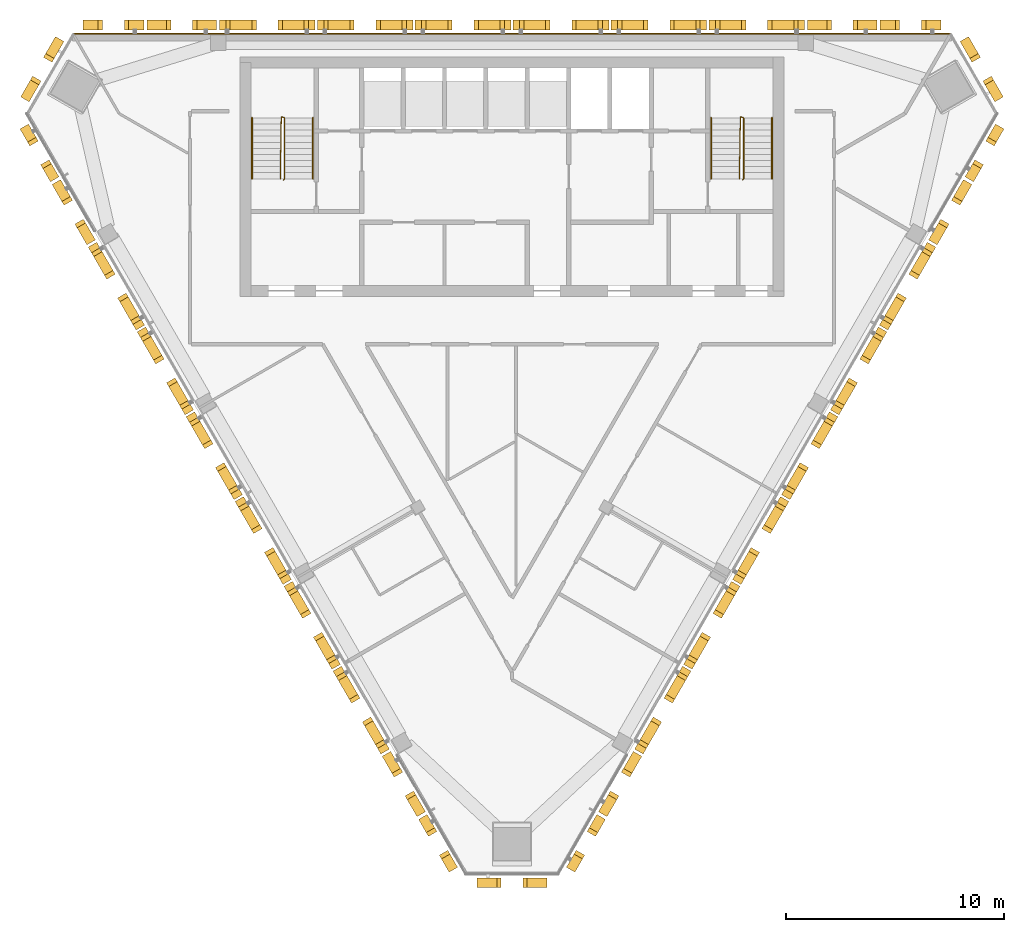
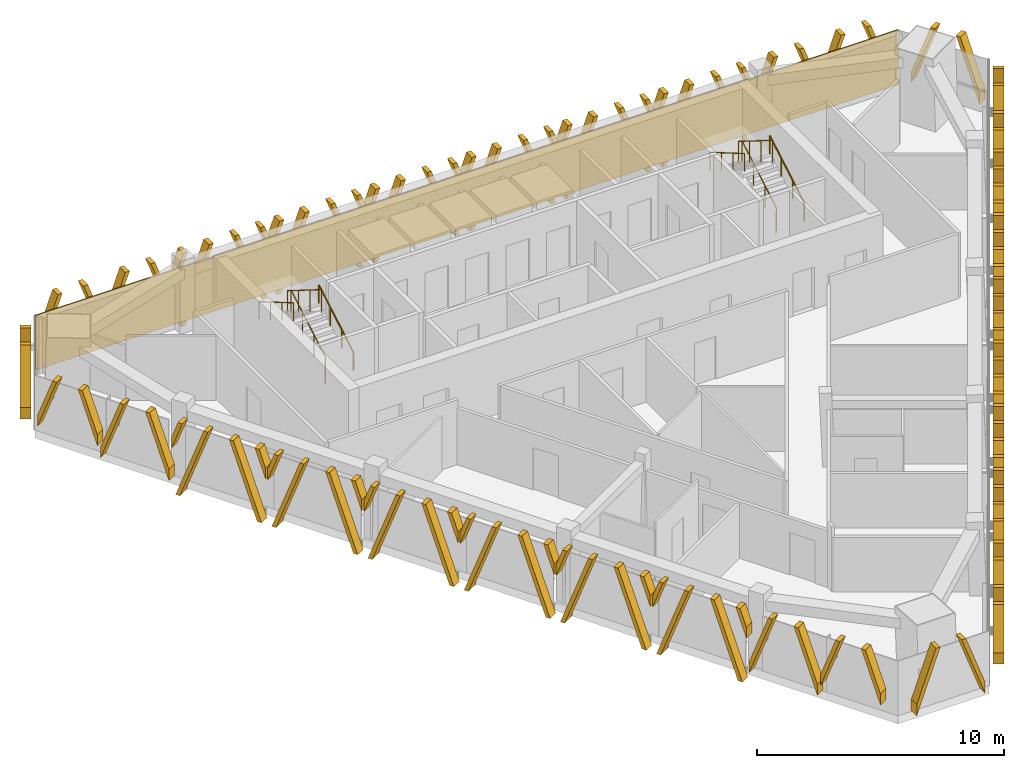
# One storey, part 13 of 14: 33 shading devices, 6 railings, 1 covering.
"""IFC4 building model written with IfcOpenShell, lengths in metres."""

import ifcopenshell
import ifcopenshell.guid

model = None  # the IFC model being written
_history = None  # IfcOwnerHistory: only IFC2X3 demands one
_inside = {}  # id of a spatial element -> (the spatial element, [elements in it])
_under = {}  # id of a project, library or spatial element -> (it, [spatial elements below it])
_declared = {}  # id of a project -> (the project, [libraries it declares])
_typed = {}  # id of a type object -> (the type object, [elements of that type])
_made_of = {}  # id of a material, layer set ... -> (it, [elements and type objects made of it])


def new_model(schema):
    """Start an empty IFC model of exactly this schema.

    Asked for "IFC4X3", IfcOpenShell would pick the latest addendum, in which some entities
    have other attributes; the version numbers below select the first issue.
    IFC2X3 requires an IfcOwnerHistory on every rooted entity: one is made here for all.
    """
    global model, _history
    if schema == "IFC4X3":
        model = ifcopenshell.file(schema_version=(4, 3, 0, 0))
    else:
        model = ifcopenshell.file(schema=schema)
    _inside.clear()
    _under.clear()
    _declared.clear()
    _typed.clear()
    _made_of.clear()
    _history = None
    if model.schema == "IFC2X3":
        org = make("IfcOrganization", Name="unknown")
        user = make(
            "IfcPersonAndOrganization",
            ThePerson=make("IfcPerson", FamilyName="unknown"),
            TheOrganization=org,
        )
        app = make(
            "IfcApplication",
            ApplicationDeveloper=org,
            Version="unknown",
            ApplicationFullName="unknown",
            ApplicationIdentifier="unknown",
        )
        _history = make(
            "IfcOwnerHistory",
            OwningUser=user,
            OwningApplication=app,
            ChangeAction="ADDED",
            CreationDate=0,
        )
    return model


def make(cls, **values):
    """One entity of the class cls with the attributes given. An attribute that is None is left unset."""
    return model.create_entity(
        cls, **{name: value for name, value in values.items() if value is not None}
    )


def rooted(cls, **values):
    """An entity with a GlobalId (a new one), such as an element, a storey or a relation."""
    return make(cls, GlobalId=ifcopenshell.guid.new(), OwnerHistory=_history, **values)


def si_unit(unit_type, name, prefix=None):
    """IfcSIUnit, for example si_unit("LENGTHUNIT", "METRE", prefix="MILLI")."""
    return make("IfcSIUnit", UnitType=unit_type, Prefix=prefix, Name=name)


def assignment(units):
    """IfcUnitAssignment: the units of a project."""
    return None if units is None else make("IfcUnitAssignment", Units=units)


def point(xyz):
    """IfcCartesianPoint."""
    return None if xyz is None else make("IfcCartesianPoint", Coordinates=xyz)


def direction(xyz):
    """IfcDirection."""
    return None if xyz is None else make("IfcDirection", DirectionRatios=xyz)


def frame(location, z_axis=None, x_axis=None):
    """IfcAxis2Placement3D, a coordinate frame: its origin and axes. An axis left out is left unset."""
    return make(
        "IfcAxis2Placement3D",
        Location=point(location),
        Axis=direction(z_axis),
        RefDirection=direction(x_axis),
    )


def frame_2d(location, x_axis=None):
    """IfcAxis2Placement2D, a coordinate frame in the plane: its origin and x axis."""
    return make(
        "IfcAxis2Placement2D", Location=point(location), RefDirection=direction(x_axis)
    )


def origin():
    """The frame at (0, 0, 0) with its axes left unset."""
    return frame((0.0, 0.0, 0.0))


def origin_2d():
    """The frame at (0, 0) in the plane with its x axis left unset."""
    return frame_2d((0.0, 0.0))


def place(relative_to, where):
    """IfcLocalPlacement: puts the frame where relative to a parent placement (None: the world)."""
    return make(
        "IfcLocalPlacement", PlacementRelTo=relative_to, RelativePlacement=where
    )


def context(
    kind, dimensions, precision=None, world=None, true_north=None, identifier=None
):
    """IfcGeometricRepresentationContext, for example the 3D "Model" context."""
    return make(
        "IfcGeometricRepresentationContext",
        ContextIdentifier=identifier,
        ContextType=kind,
        CoordinateSpaceDimension=dimensions,
        Precision=precision,
        WorldCoordinateSystem=world,
        TrueNorth=true_north,
    )


def subcontext(parent, identifier, kind, view, scale=None):
    """IfcGeometricRepresentationSubContext, for example "Body" below "Model"."""
    return make(
        "IfcGeometricRepresentationSubContext",
        ContextIdentifier=identifier,
        ContextType=kind,
        ParentContext=parent,
        TargetScale=scale,
        TargetView=view,
    )


def project(units=None, contexts=None):
    """IfcProject with its units and contexts."""
    return rooted(
        "IfcProject",
        Name="project",
        RepresentationContexts=contexts,
        UnitsInContext=assignment(units),
    )


def spatial(cls, under=None, at=None, **own):
    """A site, building, storey or space (cls), placed at a placement, below another one or the project."""
    s = rooted(cls, ObjectPlacement=at, **own)
    if under is not None:
        _under.setdefault(under.id(), (under, []))[1].append(s)
    return s


def polyline(points):
    """IfcPolyline through the points."""
    return make("IfcPolyline", Points=[point(p) for p in points])


def profile(cls, at=None, kind="AREA", **sizes):
    """A parametric profile (cls). Its sizes go by their IFC names, for example OverallWidth=200.0."""
    return make(cls, ProfileType=kind, Position=at, **sizes)


def rectangle(**sizes):
    """IfcRectangleProfileDef."""
    return profile("IfcRectangleProfileDef", **sizes)


def circle(**sizes):
    """IfcCircleProfileDef."""
    return profile("IfcCircleProfileDef", **sizes)


def outline(outer, holes=None, kind="AREA"):
    """IfcArbitraryClosedProfileDef: a profile drawn as a closed curve; with holes, ...WithVoids."""
    if holes is None:
        return make("IfcArbitraryClosedProfileDef", ProfileType=kind, OuterCurve=outer)
    return make(
        "IfcArbitraryProfileDefWithVoids",
        ProfileType=kind,
        OuterCurve=outer,
        InnerCurves=holes,
    )


def extrude(swept, where, along, depth):
    """IfcExtrudedAreaSolid: the profile swept, set in the frame where, extruded along a direction by depth."""
    return make(
        "IfcExtrudedAreaSolid",
        SweptArea=swept,
        Position=where,
        ExtrudedDirection=direction(along),
        Depth=depth,
    )


def shape(context_of_items, identifier, shape_type, items):
    """IfcShapeRepresentation: the items that make up one representation, for example the "Body"."""
    return make(
        "IfcShapeRepresentation",
        ContextOfItems=context_of_items,
        RepresentationIdentifier=identifier,
        RepresentationType=shape_type,
        Items=items,
    )


def source(mapping_origin, context_of_items, identifier, shape_type, items):
    """IfcRepresentationMap: a shape defined once, which mapped items show again and again."""
    return make(
        "IfcRepresentationMap",
        MappingOrigin=mapping_origin,
        MappedRepresentation=shape(context_of_items, identifier, shape_type, items),
    )


def transform(
    local_origin,
    x_axis=None,
    y_axis=None,
    z_axis=None,
    scale=None,
    scale2=None,
    scale3=None,
    uniform=True,
):
    """IfcCartesianTransformationOperator3D, or its non-uniform kind. x_axis, y_axis, z_axis: its Axis1, 2, 3."""
    if uniform:
        return make(
            "IfcCartesianTransformationOperator3D",
            Axis1=direction(x_axis),
            Axis2=direction(y_axis),
            LocalOrigin=point(local_origin),
            Scale=scale,
            Axis3=direction(z_axis),
        )
    return make(
        "IfcCartesianTransformationOperator3DnonUniform",
        Axis1=direction(x_axis),
        Axis2=direction(y_axis),
        LocalOrigin=point(local_origin),
        Scale=scale,
        Axis3=direction(z_axis),
        Scale2=scale2,
        Scale3=scale3,
    )


def mapped(mapping_source, mapping_target):
    """IfcMappedItem: shows the shape of a source again, moved by a transform."""
    return make(
        "IfcMappedItem", MappingSource=mapping_source, MappingTarget=mapping_target
    )


def material(Name=None, Category=None):
    """IfcMaterial."""
    return make("IfcMaterial", Name=Name, Category=Category)


def layer(
    of_material, thickness, ventilated=None, Name=None, Category=None, Priority=None
):
    """IfcMaterialLayer: one layer of a wall or slab, of a material (None: an air gap)."""
    return make(
        "IfcMaterialLayer",
        Material=of_material,
        LayerThickness=thickness,
        IsVentilated=ventilated,
        Name=Name,
        Category=Category,
        Priority=Priority,
    )


def layer_set(layers, Name=None):
    """IfcMaterialLayerSet."""
    return make("IfcMaterialLayerSet", MaterialLayers=layers, LayerSetName=Name)


def made_of(thing, what):
    """Note that an element or type object is made of a material, layer set ...; save() writes the relation."""
    if what is not None:
        _made_of.setdefault(what.id(), (what, []))[1].append(thing)
    return thing


def type_object(cls, material=None, **own):
    """A type object (cls), such as IfcWallType, which elements share."""
    return made_of(rooted(cls, **own), material)


def element(
    cls,
    number,
    at=None,
    inside=None,
    cuts=None,
    type_object=None,
    material=None,
    context=None,
    identifier="Body",
    shape_type=None,
    held_by="IfcProductDefinitionShape",
    body=None,
    shapes=None,
    **own,
):
    """One element of the class cls, such as IfcWall. Its Tag is "e" and its number.

    at: its placement. inside: the storey or other place that contains it. cuts: it is an
    opening in that element (IfcRelVoidsElement). A single representation is given by context,
    identifier, shape_type and body (its items); several are given by shapes. held_by: the class
    of the entity that holds the representations. save() writes the other relations.
    """
    e = rooted(cls, Tag="e%d" % number, ObjectPlacement=at, **own)
    if body is not None:
        shapes = [shape(context, identifier, shape_type, body)]
    if shapes is not None:
        e.Representation = make(held_by, Representations=shapes)
    if inside is not None:
        _inside.setdefault(inside.id(), (inside, []))[1].append(e)
    if cuts is not None:
        rooted(
            "IfcRelVoidsElement", RelatingBuildingElement=cuts, RelatedOpeningElement=e
        )
    if type_object is not None:
        _typed.setdefault(type_object.id(), (type_object, []))[1].append(e)
    return made_of(e, material)


def aggregate(whole, parts):
    """IfcRelAggregates: a whole, such as a stair, and the parts it consists of."""
    return rooted("IfcRelAggregates", RelatingObject=whole, RelatedObjects=parts)


def save(model, path):
    """Write the relations noted so far, then the file.

    IfcRelAggregates (storeys below a building ...), IfcRelContainedInSpatialStructure (elements
    in a storey), IfcRelDefinesByType, IfcRelAssociatesMaterial and IfcRelDeclares: one each for
    every whole, place, type object, material and project.
    """
    for whole, parts in _under.values():
        aggregate(whole, parts)
    for where, things in _inside.values():
        rooted(
            "IfcRelContainedInSpatialStructure",
            RelatedElements=things,
            RelatingStructure=where,
        )
    for kind, things in _typed.values():
        rooted("IfcRelDefinesByType", RelatedObjects=things, RelatingType=kind)
    for what, things in _made_of.values():
        rooted("IfcRelAssociatesMaterial", RelatedObjects=things, RelatingMaterial=what)
    for by, libraries in _declared.values():
        rooted("IfcRelDeclares", RelatingContext=by, RelatedDefinitions=libraries)
    model.write(path)


model = new_model("IFC4")

# Units and contexts
model_context = context("Model", 3, precision=1e-05, world=origin(), true_north=direction((0.0, 1.0)))
body_context = subcontext(model_context, "Body", "Model", "MODEL_VIEW")
ifc_project = project(units=[si_unit("LENGTHUNIT", "METRE"), si_unit("AREAUNIT", "SQUARE_METRE"), si_unit("VOLUMEUNIT", "CUBIC_METRE"), si_unit("PLANEANGLEUNIT", "RADIAN"), si_unit("MASSUNIT", "GRAM", prefix="KILO")], contexts=[model_context])

# Site, building, storey
site_placement = place(None, origin())
site = spatial("IfcSite", under=ifc_project, at=site_placement, CompositionType="ELEMENT")
building_placement = place(site_placement, origin())
building = spatial("IfcBuilding", under=site, at=building_placement, Name="Altiplano Prism Tower", CompositionType="ELEMENT")
storey_placement = place(building_placement, frame((0.0, 0.0, 295.0)))
storey = spatial("IfcBuildingStorey", under=building, at=storey_placement, Name="L76", CompositionType="ELEMENT", Elevation=295.0)

# Railings
ifc_material_1 = material(Name="Steel S355", Category="steel")
railing_type_1 = type_object("IfcRailingType", Name="Stair guard 1100", PredefinedType="GUARDRAIL", material=ifc_material_1)
railing_1_placement = place(storey_placement, frame((74.5, 98.25, 0.0)))
element("IfcRailing", 1, at=railing_1_placement, inside=storey, type_object=railing_type_1, Name="L76 ST1 stair guard 1", PredefinedType="GUARDRAIL", context=body_context, shape_type="SweptSolid", body=[
    extrude(circle(Radius=0.02392578125, at=origin_2d()), frame((0.0, 0.0, 1.076171875), z_axis=(0.280808744504, 0.280808744504, 0.917765164963), x_axis=(-0.707106781187, 0.707106781187, 0.0)), (0.0, 0.0, 1.0), 0.17822265625),
    extrude(circle(Radius=0.02392578125, at=origin_2d()), frame((0.050048828125, 0.050048828125, 1.23974609375), z_axis=(0.0, 0.863360870873, 0.504586966384), x_axis=(-1.0, 0.0, 0.0)), (0.0, 0.0, 1.0), 3.2431640625),
    extrude(circle(Radius=0.02392578125, at=origin_2d()), frame((0.050048828125, 2.85009765625, 2.8759765625), z_axis=(-0.949145278916, 0.314838433982, 0.0), x_axis=(-0.314838433982, -0.949145278916, 0.0)), (0.0, 0.0, 1.0), 0.158203125),
    extrude(circle(Radius=0.02392578125, at=origin_2d()), frame((-0.10009765625, 2.89990234375, 2.8759765625), z_axis=(-0.01477401265, -0.845377694409, 0.533964682676), x_axis=(0.999847325713, -0.01747355902, 0.0)), (0.0, 0.0, 1.0), 3.37109375),
    extrude(circle(Radius=0.02099609375, at=origin_2d()), origin(), (0.0, 0.0, 1.0), 1.052001953125),
    extrude(circle(Radius=0.02099609375, at=origin_2d()), frame((0.050048828125, 0.050048828125, 0.16357421875)), (0.0, 0.0, 1.0), 1.052001953125),
    extrude(circle(Radius=0.02099609375, at=origin_2d()), frame((0.050048828125, 0.9833984375, 0.708984375)), (0.0, 0.0, 1.0), 1.052001953125),
    extrude(circle(Radius=0.02099609375, at=origin_2d()), frame((0.050048828125, 1.916748046875, 1.254638671875)), (0.0, 0.0, 1.0), 1.052001953125),
    extrude(circle(Radius=0.02099609375, at=origin_2d()), frame((0.050048828125, 2.85009765625, 1.800048828125)), (0.0, 0.0, 1.0), 1.052001953125),
    extrude(circle(Radius=0.02099609375, at=origin_2d()), frame((-0.10009765625, 2.89990234375, 1.800048828125)), (0.0, 0.0, 1.0), 1.052001953125),
    extrude(circle(Radius=0.02099609375, at=origin_2d()), frame((-0.11669921875, 1.949951171875, 2.400146484375)), (0.0, 0.0, 1.0), 1.052001953125),
    extrude(circle(Radius=0.02099609375, at=origin_2d()), frame((-0.13330078125, 1.0, 3.0)), (0.0, 0.0, 1.0), 1.052001953125),
    extrude(circle(Radius=0.02099609375, at=origin_2d()), frame((-0.14990234375, 0.050048828125, 3.60009765625)), (0.0, 0.0, 1.0), 1.052001953125),
])
railing_2_placement = place(storey_placement, frame((95.60009765625, 98.25, 0.0)))
element("IfcRailing", 2, at=railing_2_placement, inside=storey, type_object=railing_type_1, Name="L76 ST2 stair guard 1", PredefinedType="GUARDRAIL", context=body_context, shape_type="SweptSolid", body=[
    extrude(circle(Radius=0.02392578125, at=origin_2d()), frame((0.0, 0.0, 1.076171875), z_axis=(0.279546231943, 0.280916556609, 0.91811752648), x_axis=(-0.708833529934, 0.705375805398, 0.0)), (0.0, 0.0, 1.0), 0.17822265625),
    extrude(circle(Radius=0.02392578125, at=origin_2d()), frame((0.0498046875, 0.050048828125, 1.23974609375), z_axis=(0.0, 0.863360870873, 0.504586966384), x_axis=(-1.0, 0.0, 0.0)), (0.0, 0.0, 1.0), 3.2431640625),
    extrude(circle(Radius=0.02392578125, at=origin_2d()), frame((0.0498046875, 2.85009765625, 2.8759765625), z_axis=(-0.948991962702, 0.315300261223, 0.0), x_axis=(-0.315300261223, -0.948991962702, 0.0)), (0.0, 0.0, 1.0), 0.157958984375),
    extrude(circle(Radius=0.02392578125, at=origin_2d()), frame((-0.10009765625, 2.89990234375, 2.8759765625), z_axis=(-0.014846418356, -0.845376787675, 0.533964109957), x_axis=(0.999845825584, -0.017559187376, 0.0)), (0.0, 0.0, 1.0), 3.37109375),
    extrude(circle(Radius=0.02099609375, at=origin_2d()), origin(), (0.0, 0.0, 1.0), 1.052001953125),
    extrude(circle(Radius=0.02099609375, at=origin_2d()), frame((0.0498046875, 0.050048828125, 0.16357421875)), (0.0, 0.0, 1.0), 1.052001953125),
    extrude(circle(Radius=0.02099609375, at=origin_2d()), frame((0.0498046875, 0.9833984375, 0.708984375)), (0.0, 0.0, 1.0), 1.052001953125),
    extrude(circle(Radius=0.02099609375, at=origin_2d()), frame((0.0498046875, 1.916748046875, 1.254638671875)), (0.0, 0.0, 1.0), 1.052001953125),
    extrude(circle(Radius=0.02099609375, at=origin_2d()), frame((0.0498046875, 2.85009765625, 1.800048828125)), (0.0, 0.0, 1.0), 1.052001953125),
    extrude(circle(Radius=0.02099609375, at=origin_2d()), frame((-0.10009765625, 2.89990234375, 1.800048828125)), (0.0, 0.0, 1.0), 1.052001953125),
    extrude(circle(Radius=0.02099609375, at=origin_2d()), frame((-0.11669921875, 1.949951171875, 2.400146484375)), (0.0, 0.0, 1.0), 1.052001953125),
    extrude(circle(Radius=0.02099609375, at=origin_2d()), frame((-0.133544921875, 1.0, 3.0)), (0.0, 0.0, 1.0), 1.052001953125),
    extrude(circle(Radius=0.02099609375, at=origin_2d()), frame((-0.150146484375, 0.050048828125, 3.60009765625)), (0.0, 0.0, 1.0), 1.052001953125),
])
railing_type_2 = type_object("IfcRailingType", Name="Stair handrail 900", PredefinedType="HANDRAIL", material=ifc_material_1)
railing_3_placement = place(storey_placement, frame((75.85009765625, 98.300048828125, 0.16357421875)))
element("IfcRailing", 3, at=railing_3_placement, inside=storey, type_object=railing_type_2, Name="L76 ST1 stair handrail 1", PredefinedType="HANDRAIL", context=body_context, shape_type="SweptSolid", body=[
    extrude(circle(Radius=0.02392578125, at=origin_2d()), frame((0.0, 0.0, 0.8759765625), z_axis=(0.0, 0.863360870873, 0.504586966384), x_axis=(-1.0, 0.0, 0.0)), (0.0, 0.0, 1.0), 3.2431640625),
    extrude(circle(Radius=0.02099609375, at=origin_2d()), origin(), (0.0, 0.0, 1.0), 0.851806640625),
    extrude(circle(Radius=0.02099609375, at=origin_2d()), frame((0.0, 0.933349609375, 0.54541015625)), (0.0, 0.0, 1.0), 0.851806640625),
    extrude(circle(Radius=0.02099609375, at=origin_2d()), frame((0.0, 1.86669921875, 1.091064453125)), (0.0, 0.0, 1.0), 0.851806640625),
    extrude(circle(Radius=0.02099609375, at=origin_2d()), frame((0.0, 2.800048828125, 1.636474609375)), (0.0, 0.0, 1.0), 0.851806640625),
])
railing_4_placement = place(storey_placement, frame((73.050048828125, 101.10009765625, 1.963623046875)))
element("IfcRailing", 4, at=railing_4_placement, inside=storey, type_object=railing_type_2, Name="L76 ST1 stair handrail 2", PredefinedType="HANDRAIL", context=body_context, shape_type="SweptSolid", body=[
    extrude(circle(Radius=0.02392578125, at=origin_2d()), frame((0.0, 0.0, 0.8759765625), z_axis=(0.0, -0.863360870873, 0.504586966384), x_axis=(1.0, 0.0, 0.0)), (0.0, 0.0, 1.0), 3.2431640625),
    extrude(circle(Radius=0.02099609375, at=origin_2d()), origin(), (0.0, 0.0, 1.0), 0.851806640625),
    extrude(circle(Radius=0.02099609375, at=origin_2d()), frame((0.0, -0.933349609375, 0.54541015625)), (0.0, 0.0, 1.0), 0.851806640625),
    extrude(circle(Radius=0.02099609375, at=origin_2d()), frame((0.0, -1.86669921875, 1.091064453125)), (0.0, 0.0, 1.0), 0.851806640625),
    extrude(circle(Radius=0.02099609375, at=origin_2d()), frame((0.0, -2.800048828125, 1.636474609375)), (0.0, 0.0, 1.0), 0.851806640625),
])
railing_5_placement = place(storey_placement, frame((96.949951171875, 98.300048828125, 0.16357421875)))
element("IfcRailing", 5, at=railing_5_placement, inside=storey, type_object=railing_type_2, Name="L76 ST2 stair handrail 1", PredefinedType="HANDRAIL", context=body_context, shape_type="SweptSolid", body=[
    extrude(circle(Radius=0.02392578125, at=origin_2d()), frame((0.0, 0.0, 0.8759765625), z_axis=(0.0, 0.863360870873, 0.504586966384), x_axis=(-1.0, 0.0, 0.0)), (0.0, 0.0, 1.0), 3.2431640625),
    extrude(circle(Radius=0.02099609375, at=origin_2d()), origin(), (0.0, 0.0, 1.0), 0.851806640625),
    extrude(circle(Radius=0.02099609375, at=origin_2d()), frame((0.0, 0.933349609375, 0.54541015625)), (0.0, 0.0, 1.0), 0.851806640625),
    extrude(circle(Radius=0.02099609375, at=origin_2d()), frame((0.0, 1.86669921875, 1.091064453125)), (0.0, 0.0, 1.0), 0.851806640625),
    extrude(circle(Radius=0.02099609375, at=origin_2d()), frame((0.0, 2.800048828125, 1.636474609375)), (0.0, 0.0, 1.0), 0.851806640625),
])
railing_6_placement = place(storey_placement, frame((94.14990234375, 101.10009765625, 1.963623046875)))
element("IfcRailing", 6, at=railing_6_placement, inside=storey, type_object=railing_type_2, Name="L76 ST2 stair handrail 2", PredefinedType="HANDRAIL", context=body_context, shape_type="SweptSolid", body=[
    extrude(circle(Radius=0.02392578125, at=origin_2d()), frame((0.0, 0.0, 0.8759765625), z_axis=(0.0, -0.863360870873, 0.504586966384), x_axis=(1.0, 0.0, 0.0)), (0.0, 0.0, 1.0), 3.2431640625),
    extrude(circle(Radius=0.02099609375, at=origin_2d()), origin(), (0.0, 0.0, 1.0), 0.851806640625),
    extrude(circle(Radius=0.02099609375, at=origin_2d()), frame((0.0, -0.933349609375, 0.54541015625)), (0.0, 0.0, 1.0), 0.851806640625),
    extrude(circle(Radius=0.02099609375, at=origin_2d()), frame((0.0, -1.86669921875, 1.091064453125)), (0.0, 0.0, 1.0), 0.851806640625),
    extrude(circle(Radius=0.02099609375, at=origin_2d()), frame((0.0, -2.800048828125, 1.636474609375)), (0.0, 0.0, 1.0), 0.851806640625),
])

# Covering
ifc_material_2 = material(Name="Warm limestone cast stone", Category="masonry")
ifc_layer = layer(ifc_material_2, 0.06005859375)
ifc_layer_set = layer_set([ifc_layer], Name="Warm limestone cast stone")
covering_type = type_object("IfcCoveringType", Name="Stone cladding 60", PredefinedType="CLADDING", material=ifc_layer_set)
covering_placement = place(storey_placement, frame((64.806396484375, 104.969970703125, 0.0), z_axis=(0.0, 0.0, 1.0), x_axis=(1.0, 0.0, 0.0)))
element("IfcCovering", 7, at=covering_placement, inside=storey, type_object=covering_type, Name="Stone cladding north face L76", PredefinedType="CLADDING", context=body_context, shape_type="SweptSolid", body=[
    extrude(rectangle(XDim=40.38720703125, YDim=0.06005859375, at=frame_2d((20.193603515625, 0.0))), origin(), (0.0, 0.0, 1.0), 2.699951171875),
])

# Shading devices
shading_device_type_1 = type_object("IfcShadingDeviceType", Name="Stone fin panel, narrow closing bay", PredefinedType="USERDEFINED", material=ifc_material_2)
shared_shape_1 = source(origin(), body_context, "Body", "SweptSolid", [
    extrude(outline(polyline([(-1.60009765625, 0.577880859375), (-0.5, 3.60009765625), (-0.699951171875, 3.60009765625), (-1.60009765625, 1.127197265625), (-1.60009765625, 0.577880859375)])), frame((0.0, -0.14990234375, 0.0), z_axis=(0.0, -1.0, 0.0), x_axis=(1.0, 0.0, 0.0)), (0.0, 0.0, 1.0), 0.4501953125),
    extrude(outline(polyline([(1.60009765625, 1.127197265625), (0.699951171875, 3.60009765625), (0.5, 3.60009765625), (1.60009765625, 0.577880859375), (1.60009765625, 1.127197265625)])), frame((0.0, -0.14990234375, 0.0), z_axis=(0.0, -1.0, 0.0), x_axis=(1.0, 0.0, 0.0)), (0.0, 0.0, 1.0), 0.4501953125),
])
shading_device_1_placement = place(storey_placement, origin())
element("IfcShadingDevice", 8, at=shading_device_1_placement, inside=storey, type_object=shading_device_type_1, Name="Fin L76 north face 2", ObjectType="FIN", PredefinedType="USERDEFINED", context=body_context, shape_type="MappedRepresentation", body=[
    mapped(shared_shape_1, transform((100.17333984375, 105.0, -0.39990234375), x_axis=(-1.0, 0.0, 0.0), y_axis=(0.0, -1.0, 0.0), z_axis=(0.0, 0.0, 1.0))),
])
shading_device_2_placement = place(storey_placement, origin())
element("IfcShadingDevice", 9, at=shading_device_2_placement, inside=storey, type_object=shading_device_type_1, Name="Fin L76 north face 9", ObjectType="FIN", PredefinedType="USERDEFINED", context=body_context, shape_type="MappedRepresentation", body=[
    mapped(shared_shape_1, transform((69.82666015625, 105.0, -0.39990234375), x_axis=(-1.0, 0.0, 0.0), y_axis=(0.0, -1.0, 0.0), z_axis=(0.0, 0.0, 1.0))),
])
shading_device_type_2 = type_object("IfcShadingDeviceType", Name="Stone fin panel, chamfer unit", PredefinedType="USERDEFINED", material=ifc_material_2)
shading_device_3_placement = place(storey_placement, origin())
element("IfcShadingDevice", 10, at=shading_device_3_placement, inside=storey, type_object=shading_device_type_2, Name="Fin L76 north-west chamfer 1", ObjectType="FIN", PredefinedType="USERDEFINED", context=body_context, shape_type="MappedRepresentation", body=[
    mapped(shared_shape_1, transform((63.739013671875, 103.151123046875, -0.39990234375), x_axis=(-0.500000067794, -0.866025364643, 0.0), y_axis=(0.866025364643, -0.500000067794, 0.0), z_axis=(0.0, 0.0, 1.0))),
])
shading_device_4_placement = place(storey_placement, origin())
element("IfcShadingDevice", 11, at=shading_device_4_placement, inside=storey, type_object=shading_device_type_1, Name="Fin L76 south-west face 2", ObjectType="FIN", PredefinedType="USERDEFINED", context=body_context, shape_type="MappedRepresentation", body=[
    mapped(shared_shape_1, transform((65.181640625, 96.95458984375, -0.39990234375), x_axis=(0.499999990992, -0.866025408985, 0.0), y_axis=(0.866025408985, 0.499999990992, 0.0), z_axis=(0.0, 0.0, 1.0))),
])
shading_device_5_placement = place(storey_placement, origin())
element("IfcShadingDevice", 12, at=shading_device_5_placement, inside=storey, type_object=shading_device_type_1, Name="Fin L76 south-west face 9", ObjectType="FIN", PredefinedType="USERDEFINED", context=body_context, shape_type="MappedRepresentation", body=[
    mapped(shared_shape_1, transform((80.35498046875, 70.673583984375, -0.39990234375), x_axis=(0.499999990992, -0.866025408985, 0.0), y_axis=(0.866025408985, 0.499999990992, 0.0), z_axis=(0.0, 0.0, 1.0))),
])
shading_device_6_placement = place(storey_placement, origin())
element("IfcShadingDevice", 13, at=shading_device_6_placement, inside=storey, type_object=shading_device_type_2, Name="Fin L76 south chamfer 1", ObjectType="FIN", PredefinedType="USERDEFINED", context=body_context, shape_type="MappedRepresentation", body=[
    mapped(shared_shape_1, transform((85.0, 66.325927734375, -0.39990234375), x_axis=(1.0, 0.0, 0.0), y_axis=(0.0, 1.0, 0.0), z_axis=(0.0, 0.0, 1.0))),
])
shading_device_7_placement = place(storey_placement, origin())
element("IfcShadingDevice", 14, at=shading_device_7_placement, inside=storey, type_object=shading_device_type_1, Name="Fin L76 south-east face 2", ObjectType="FIN", PredefinedType="USERDEFINED", context=body_context, shape_type="MappedRepresentation", body=[
    mapped(shared_shape_1, transform((89.64501953125, 70.673583984375, -0.39990234375), x_axis=(0.499999990992, 0.866025408985, 0.0), y_axis=(-0.866025408985, 0.499999990992, 0.0), z_axis=(0.0, 0.0, 1.0))),
])
shading_device_8_placement = place(storey_placement, origin())
element("IfcShadingDevice", 15, at=shading_device_8_placement, inside=storey, type_object=shading_device_type_1, Name="Fin L76 south-east face 9", ObjectType="FIN", PredefinedType="USERDEFINED", context=body_context, shape_type="MappedRepresentation", body=[
    mapped(shared_shape_1, transform((104.818359375, 96.95458984375, -0.39990234375), x_axis=(0.499999990992, 0.866025408985, 0.0), y_axis=(-0.866025408985, 0.499999990992, 0.0), z_axis=(0.0, 0.0, 1.0))),
])
shading_device_9_placement = place(storey_placement, origin())
element("IfcShadingDevice", 16, at=shading_device_9_placement, inside=storey, type_object=shading_device_type_2, Name="Fin L76 north-east chamfer 1", ObjectType="FIN", PredefinedType="USERDEFINED", context=body_context, shape_type="MappedRepresentation", body=[
    mapped(shared_shape_1, transform((106.260986328125, 103.151123046875, -0.39990234375), x_axis=(-0.500000067794, 0.866025364643, 0.0), y_axis=(-0.866025364643, -0.500000067794, 0.0), z_axis=(0.0, 0.0, 1.0))),
])
shading_device_type_3 = type_object("IfcShadingDeviceType", Name="Stone fin panel, standard unit", PredefinedType="USERDEFINED", material=ifc_material_2)
shared_shape_2 = source(origin(), body_context, "Body", "SweptSolid", [
    extrude(outline(polyline([(-2.199951171875, 2.226318359375), (-1.699951171875, 3.60009765625), (-1.89990234375, 3.60009765625), (-2.199951171875, 2.77587890625), (-2.199951171875, 2.226318359375)])), frame((0.0, -0.14990234375, 0.0), z_axis=(0.0, -1.0, 0.0), x_axis=(1.0, 0.0, 0.0)), (0.0, 0.0, 1.0), 0.4501953125),
    extrude(outline(polyline([(-2.01025390625, 0.0), (-1.810302734375, 0.0), (-0.5, 3.60009765625), (-0.699951171875, 3.60009765625), (-2.01025390625, 0.0)])), frame((0.0, -0.14990234375, 0.0), z_axis=(0.0, -1.0, 0.0), x_axis=(1.0, 0.0, 0.0)), (0.0, 0.0, 1.0), 0.4501953125),
    extrude(outline(polyline([(1.810302734375, 0.0), (2.01025390625, 0.0), (0.699951171875, 3.60009765625), (0.5, 3.60009765625), (1.810302734375, 0.0)])), frame((0.0, -0.14990234375, 0.0), z_axis=(0.0, -1.0, 0.0), x_axis=(1.0, 0.0, 0.0)), (0.0, 0.0, 1.0), 0.4501953125),
    extrude(outline(polyline([(2.199951171875, 2.77587890625), (1.89990234375, 3.60009765625), (1.699951171875, 3.60009765625), (2.199951171875, 2.226318359375), (2.199951171875, 2.77587890625)])), frame((0.0, -0.14990234375, 0.0), z_axis=(0.0, -1.0, 0.0), x_axis=(1.0, 0.0, 0.0)), (0.0, 0.0, 1.0), 0.4501953125),
])
shading_device_10_placement = place(storey_placement, origin())
element("IfcShadingDevice", 17, at=shading_device_10_placement, inside=storey, type_object=shading_device_type_3, Name="Fin L76 north face 3", ObjectType="FIN", PredefinedType="USERDEFINED", context=body_context, shape_type="MappedRepresentation", body=[
    mapped(shared_shape_2, transform((96.25, 105.0, -0.39990234375), x_axis=(-1.0, 0.0, 0.0), y_axis=(0.0, -1.0, 0.0), z_axis=(0.0, 0.0, 1.0))),
])
shading_device_11_placement = place(storey_placement, origin())
element("IfcShadingDevice", 18, at=shading_device_11_placement, inside=storey, type_object=shading_device_type_3, Name="Fin L76 north face 4", ObjectType="FIN", PredefinedType="USERDEFINED", context=body_context, shape_type="MappedRepresentation", body=[
    mapped(shared_shape_2, transform((91.75, 105.0, -0.39990234375), x_axis=(-1.0, 0.0, 0.0), y_axis=(0.0, -1.0, 0.0), z_axis=(0.0, 0.0, 1.0))),
])
shading_device_12_placement = place(storey_placement, origin())
element("IfcShadingDevice", 19, at=shading_device_12_placement, inside=storey, type_object=shading_device_type_3, Name="Fin L76 north face 5", ObjectType="FIN", PredefinedType="USERDEFINED", context=body_context, shape_type="MappedRepresentation", body=[
    mapped(shared_shape_2, transform((87.25, 105.0, -0.39990234375), x_axis=(-1.0, 0.0, 0.0), y_axis=(0.0, -1.0, 0.0), z_axis=(0.0, 0.0, 1.0))),
])
shading_device_13_placement = place(storey_placement, origin())
element("IfcShadingDevice", 20, at=shading_device_13_placement, inside=storey, type_object=shading_device_type_3, Name="Fin L76 north face 6", ObjectType="FIN", PredefinedType="USERDEFINED", context=body_context, shape_type="MappedRepresentation", body=[
    mapped(shared_shape_2, transform((82.75, 105.0, -0.39990234375), x_axis=(-1.0, 0.0, 0.0), y_axis=(0.0, -1.0, 0.0), z_axis=(0.0, 0.0, 1.0))),
])
shading_device_14_placement = place(storey_placement, origin())
element("IfcShadingDevice", 21, at=shading_device_14_placement, inside=storey, type_object=shading_device_type_3, Name="Fin L76 north face 7", ObjectType="FIN", PredefinedType="USERDEFINED", context=body_context, shape_type="MappedRepresentation", body=[
    mapped(shared_shape_2, transform((78.25, 105.0, -0.39990234375), x_axis=(-1.0, 0.0, 0.0), y_axis=(0.0, -1.0, 0.0), z_axis=(0.0, 0.0, 1.0))),
])
shading_device_15_placement = place(storey_placement, origin())
element("IfcShadingDevice", 22, at=shading_device_15_placement, inside=storey, type_object=shading_device_type_3, Name="Fin L76 north face 8", ObjectType="FIN", PredefinedType="USERDEFINED", context=body_context, shape_type="MappedRepresentation", body=[
    mapped(shared_shape_2, transform((73.75, 105.0, -0.39990234375), x_axis=(-1.0, 0.0, 0.0), y_axis=(0.0, -1.0, 0.0), z_axis=(0.0, 0.0, 1.0))),
])
shading_device_16_placement = place(storey_placement, origin())
element("IfcShadingDevice", 23, at=shading_device_16_placement, inside=storey, type_object=shading_device_type_3, Name="Fin L76 south-west face 3", ObjectType="FIN", PredefinedType="USERDEFINED", context=body_context, shape_type="MappedRepresentation", body=[
    mapped(shared_shape_2, transform((67.143310546875, 93.556884765625, -0.39990234375), x_axis=(0.499999990992, -0.866025408985, 0.0), y_axis=(0.866025408985, 0.499999990992, 0.0), z_axis=(0.0, 0.0, 1.0))),
])
shading_device_17_placement = place(storey_placement, origin())
element("IfcShadingDevice", 24, at=shading_device_17_placement, inside=storey, type_object=shading_device_type_3, Name="Fin L76 south-west face 4", ObjectType="FIN", PredefinedType="USERDEFINED", context=body_context, shape_type="MappedRepresentation", body=[
    mapped(shared_shape_2, transform((69.393310546875, 89.65966796875, -0.39990234375), x_axis=(0.499999990992, -0.866025408985, 0.0), y_axis=(0.866025408985, 0.499999990992, 0.0), z_axis=(0.0, 0.0, 1.0))),
])
shading_device_18_placement = place(storey_placement, origin())
element("IfcShadingDevice", 25, at=shading_device_18_placement, inside=storey, type_object=shading_device_type_3, Name="Fin L76 south-west face 5", ObjectType="FIN", PredefinedType="USERDEFINED", context=body_context, shape_type="MappedRepresentation", body=[
    mapped(shared_shape_2, transform((71.643310546875, 85.762451171875, -0.39990234375), x_axis=(0.499999990992, -0.866025408985, 0.0), y_axis=(0.866025408985, 0.499999990992, 0.0), z_axis=(0.0, 0.0, 1.0))),
])
shading_device_19_placement = place(storey_placement, origin())
element("IfcShadingDevice", 26, at=shading_device_19_placement, inside=storey, type_object=shading_device_type_3, Name="Fin L76 south-west face 6", ObjectType="FIN", PredefinedType="USERDEFINED", context=body_context, shape_type="MappedRepresentation", body=[
    mapped(shared_shape_2, transform((73.893310546875, 81.865478515625, -0.39990234375), x_axis=(0.499999990992, -0.866025408985, 0.0), y_axis=(0.866025408985, 0.499999990992, 0.0), z_axis=(0.0, 0.0, 1.0))),
])
shading_device_20_placement = place(storey_placement, origin())
element("IfcShadingDevice", 27, at=shading_device_20_placement, inside=storey, type_object=shading_device_type_3, Name="Fin L76 south-west face 7", ObjectType="FIN", PredefinedType="USERDEFINED", context=body_context, shape_type="MappedRepresentation", body=[
    mapped(shared_shape_2, transform((76.143310546875, 77.96826171875, -0.39990234375), x_axis=(0.499999990992, -0.866025408985, 0.0), y_axis=(0.866025408985, 0.499999990992, 0.0), z_axis=(0.0, 0.0, 1.0))),
])
shading_device_21_placement = place(storey_placement, origin())
element("IfcShadingDevice", 28, at=shading_device_21_placement, inside=storey, type_object=shading_device_type_3, Name="Fin L76 south-west face 8", ObjectType="FIN", PredefinedType="USERDEFINED", context=body_context, shape_type="MappedRepresentation", body=[
    mapped(shared_shape_2, transform((78.393310546875, 74.0712890625, -0.39990234375), x_axis=(0.499999990992, -0.866025408985, 0.0), y_axis=(0.866025408985, 0.499999990992, 0.0), z_axis=(0.0, 0.0, 1.0))),
])
shading_device_22_placement = place(storey_placement, origin())
element("IfcShadingDevice", 29, at=shading_device_22_placement, inside=storey, type_object=shading_device_type_3, Name="Fin L76 south-east face 3", ObjectType="FIN", PredefinedType="USERDEFINED", context=body_context, shape_type="MappedRepresentation", body=[
    mapped(shared_shape_2, transform((91.606689453125, 74.0712890625, -0.39990234375), x_axis=(0.499999990992, 0.866025408985, 0.0), y_axis=(-0.866025408985, 0.499999990992, 0.0), z_axis=(0.0, 0.0, 1.0))),
])
shading_device_23_placement = place(storey_placement, origin())
element("IfcShadingDevice", 30, at=shading_device_23_placement, inside=storey, type_object=shading_device_type_3, Name="Fin L76 south-east face 4", ObjectType="FIN", PredefinedType="USERDEFINED", context=body_context, shape_type="MappedRepresentation", body=[
    mapped(shared_shape_2, transform((93.856689453125, 77.96826171875, -0.39990234375), x_axis=(0.499999990992, 0.866025408985, 0.0), y_axis=(-0.866025408985, 0.499999990992, 0.0), z_axis=(0.0, 0.0, 1.0))),
])
shading_device_24_placement = place(storey_placement, origin())
element("IfcShadingDevice", 31, at=shading_device_24_placement, inside=storey, type_object=shading_device_type_3, Name="Fin L76 south-east face 5", ObjectType="FIN", PredefinedType="USERDEFINED", context=body_context, shape_type="MappedRepresentation", body=[
    mapped(shared_shape_2, transform((96.106689453125, 81.865478515625, -0.39990234375), x_axis=(0.499999990992, 0.866025408985, 0.0), y_axis=(-0.866025408985, 0.499999990992, 0.0), z_axis=(0.0, 0.0, 1.0))),
])
shading_device_25_placement = place(storey_placement, origin())
element("IfcShadingDevice", 32, at=shading_device_25_placement, inside=storey, type_object=shading_device_type_3, Name="Fin L76 south-east face 6", ObjectType="FIN", PredefinedType="USERDEFINED", context=body_context, shape_type="MappedRepresentation", body=[
    mapped(shared_shape_2, transform((98.356689453125, 85.762451171875, -0.39990234375), x_axis=(0.499999990992, 0.866025408985, 0.0), y_axis=(-0.866025408985, 0.499999990992, 0.0), z_axis=(0.0, 0.0, 1.0))),
])
shading_device_26_placement = place(storey_placement, origin())
element("IfcShadingDevice", 33, at=shading_device_26_placement, inside=storey, type_object=shading_device_type_3, Name="Fin L76 south-east face 7", ObjectType="FIN", PredefinedType="USERDEFINED", context=body_context, shape_type="MappedRepresentation", body=[
    mapped(shared_shape_2, transform((100.606689453125, 89.65966796875, -0.39990234375), x_axis=(0.499999990992, 0.866025408985, 0.0), y_axis=(-0.866025408985, 0.499999990992, 0.0), z_axis=(0.0, 0.0, 1.0))),
])
shading_device_27_placement = place(storey_placement, origin())
element("IfcShadingDevice", 34, at=shading_device_27_placement, inside=storey, type_object=shading_device_type_3, Name="Fin L76 south-east face 8", ObjectType="FIN", PredefinedType="USERDEFINED", context=body_context, shape_type="MappedRepresentation", body=[
    mapped(shared_shape_2, transform((102.856689453125, 93.556884765625, -0.39990234375), x_axis=(0.499999990992, 0.866025408985, 0.0), y_axis=(-0.866025408985, 0.499999990992, 0.0), z_axis=(0.0, 0.0, 1.0))),
])
shared_shape_3 = source(origin(), body_context, "Body", "SweptSolid", [
    extrude(outline(polyline([(-1.39990234375, 1.127197265625), (-0.5, 3.60009765625), (-0.699951171875, 3.60009765625), (-1.39990234375, 1.6767578125), (-1.39990234375, 1.127197265625)])), frame((0.0, -0.14990234375, 0.0), z_axis=(0.0, -1.0, 0.0), x_axis=(1.0, 0.0, 0.0)), (0.0, 0.0, 1.0), 0.4501953125),
    extrude(outline(polyline([(1.39990234375, 1.6767578125), (0.699951171875, 3.60009765625), (0.5, 3.60009765625), (1.39990234375, 1.127197265625), (1.39990234375, 1.6767578125)])), frame((0.0, -0.14990234375, 0.0), z_axis=(0.0, -1.0, 0.0), x_axis=(1.0, 0.0, 0.0)), (0.0, 0.0, 1.0), 0.4501953125),
])
shading_device_28_placement = place(storey_placement, origin())
element("IfcShadingDevice", 35, at=shading_device_28_placement, inside=storey, type_object=shading_device_type_1, Name="Fin L76 north face 1", ObjectType="FIN", PredefinedType="USERDEFINED", context=body_context, shape_type="MappedRepresentation", body=[
    mapped(shared_shape_3, transform((103.320068359375, 105.0, -0.39990234375), x_axis=(-1.0, 0.0, 0.0), y_axis=(0.0, -1.0, 0.0), z_axis=(0.0, 0.0, 1.0))),
])
shading_device_29_placement = place(storey_placement, origin())
element("IfcShadingDevice", 36, at=shading_device_29_placement, inside=storey, type_object=shading_device_type_1, Name="Fin L76 north face 10", ObjectType="FIN", PredefinedType="USERDEFINED", context=body_context, shape_type="MappedRepresentation", body=[
    mapped(shared_shape_3, transform((66.679931640625, 105.0, -0.39990234375), x_axis=(-1.0, 0.0, 0.0), y_axis=(0.0, -1.0, 0.0), z_axis=(0.0, 0.0, 1.0))),
])
shading_device_30_placement = place(storey_placement, origin())
element("IfcShadingDevice", 37, at=shading_device_30_placement, inside=storey, type_object=shading_device_type_1, Name="Fin L76 south-west face 1", ObjectType="FIN", PredefinedType="USERDEFINED", context=body_context, shape_type="MappedRepresentation", body=[
    mapped(shared_shape_3, transform((63.608154296875, 99.6796875, -0.39990234375), x_axis=(0.499999990992, -0.866025408985, 0.0), y_axis=(0.866025408985, 0.499999990992, 0.0), z_axis=(0.0, 0.0, 1.0))),
])
shading_device_31_placement = place(storey_placement, origin())
element("IfcShadingDevice", 38, at=shading_device_31_placement, inside=storey, type_object=shading_device_type_1, Name="Fin L76 south-west face 10", ObjectType="FIN", PredefinedType="USERDEFINED", context=body_context, shape_type="MappedRepresentation", body=[
    mapped(shared_shape_3, transform((81.92822265625, 67.9482421875, -0.39990234375), x_axis=(0.499999990992, -0.866025408985, 0.0), y_axis=(0.866025408985, 0.499999990992, 0.0), z_axis=(0.0, 0.0, 1.0))),
])
shading_device_32_placement = place(storey_placement, origin())
element("IfcShadingDevice", 39, at=shading_device_32_placement, inside=storey, type_object=shading_device_type_1, Name="Fin L76 south-east face 1", ObjectType="FIN", PredefinedType="USERDEFINED", context=body_context, shape_type="MappedRepresentation", body=[
    mapped(shared_shape_3, transform((88.07177734375, 67.9482421875, -0.39990234375), x_axis=(0.499999990992, 0.866025408985, 0.0), y_axis=(-0.866025408985, 0.499999990992, 0.0), z_axis=(0.0, 0.0, 1.0))),
])
shading_device_33_placement = place(storey_placement, origin())
element("IfcShadingDevice", 40, at=shading_device_33_placement, inside=storey, type_object=shading_device_type_1, Name="Fin L76 south-east face 10", ObjectType="FIN", PredefinedType="USERDEFINED", context=body_context, shape_type="MappedRepresentation", body=[
    mapped(shared_shape_3, transform((106.391845703125, 99.6796875, -0.39990234375), x_axis=(0.499999990992, 0.866025408985, 0.0), y_axis=(-0.866025408985, 0.499999990992, 0.0), z_axis=(0.0, 0.0, 1.0))),
])

save(model, "model.ifc")
